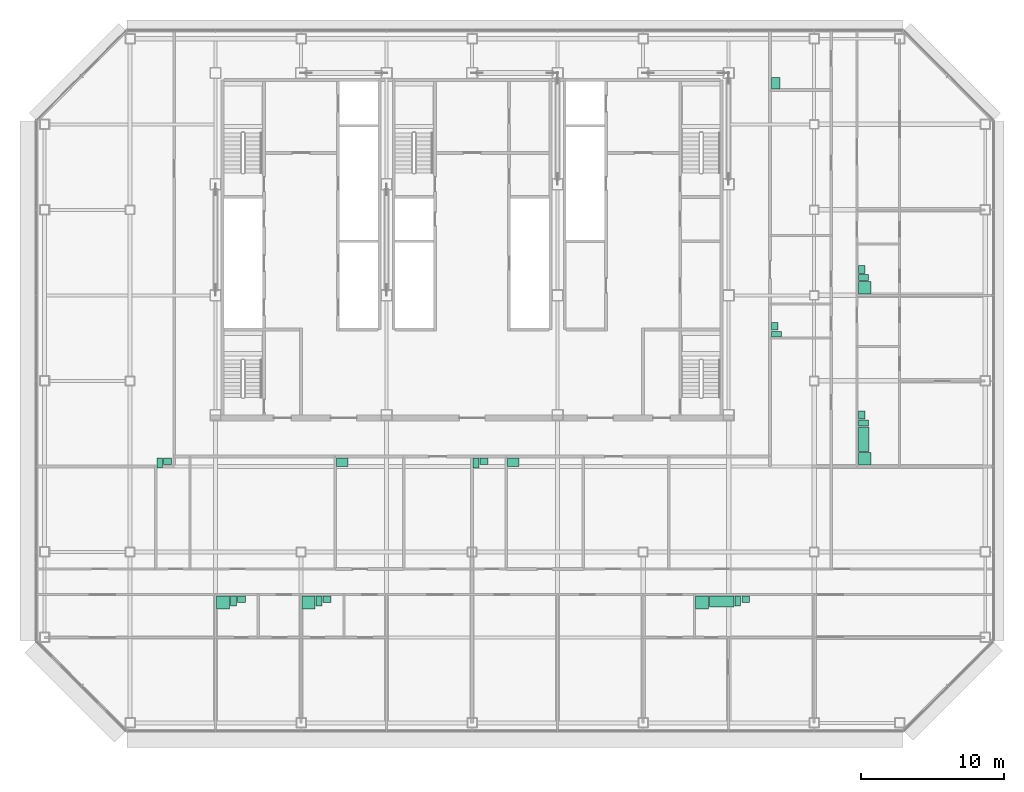
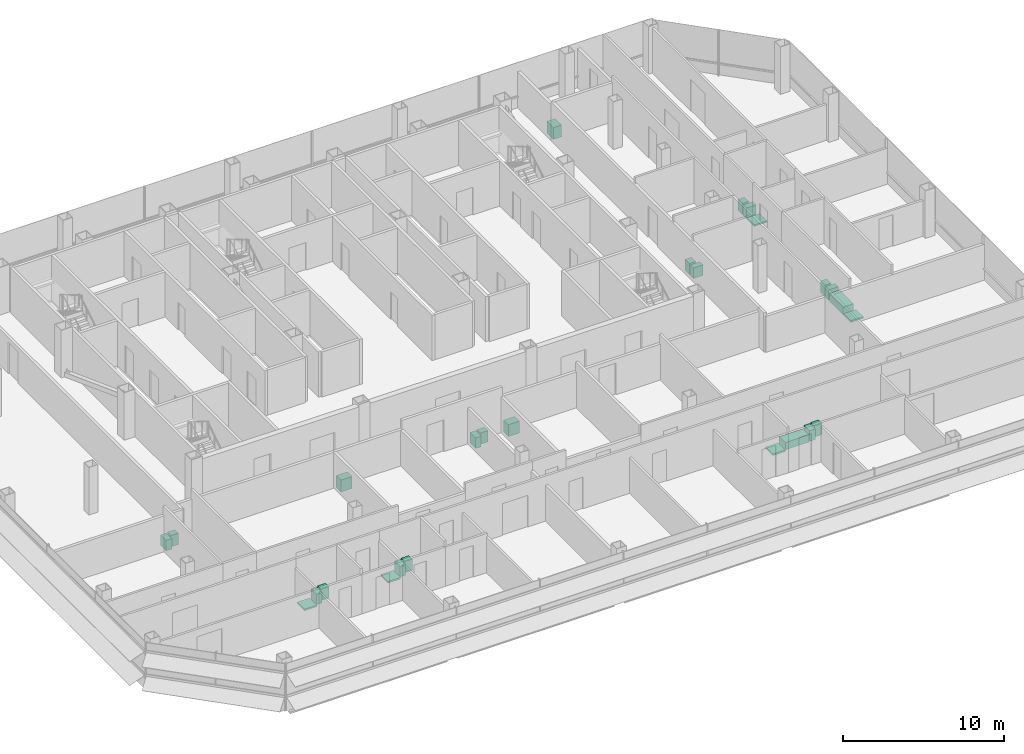
# One storey, part 26 of 26: 26 sanitary terminals.
"""IFC4 building model written with IfcOpenShell, lengths in metres."""

from ifc_helpers import new_model, si_unit, direction, frame, origin, origin_2d, place, context, subcontext, project, spatial, rectangle, extrude, element, save


model = new_model("IFC4")

# Units and contexts
model_context = context("Model", 3, precision=1e-05, world=origin(), true_north=direction((0.0, 1.0)))
body_context = subcontext(model_context, "Body", "Model", "MODEL_VIEW")
ifc_project = project(units=[si_unit("LENGTHUNIT", "METRE"), si_unit("AREAUNIT", "SQUARE_METRE"), si_unit("VOLUMEUNIT", "CUBIC_METRE"), si_unit("PLANEANGLEUNIT", "RADIAN"), si_unit("MASSUNIT", "GRAM", prefix="KILO")], contexts=[model_context])

# Site, building, storey
site_placement = place(None, origin())
site = spatial("IfcSite", under=ifc_project, at=site_placement, CompositionType="ELEMENT")
building_placement = place(site_placement, origin())
building = spatial("IfcBuilding", under=site, at=building_placement, Name="Sorahane Residences", CompositionType="ELEMENT")
storey_placement = place(building_placement, frame((0.0, 0.0, 154.60009765625)))
storey = spatial("IfcBuildingStorey", under=building, at=storey_placement, Name="L35", CompositionType="ELEMENT", Elevation=154.60009765625)

# Sanitary terminals
sanitary_terminal_1_placement = place(storey_placement, frame((6.530029296875, 8.449951171875, -0.000244140625), z_axis=(0.0, 0.0, 1.0), x_axis=(1.0, 0.0, 0.0)))
element("IfcSanitaryTerminal", 1, at=sanitary_terminal_1_placement, inside=storey, Name="Shower tray En-suite bathroom 35A", PredefinedType="SHOWER", context=body_context, shape_type="SweptSolid", body=[
    extrude(rectangle(XDim=0.89990234375, YDim=0.89990234375, at=origin_2d()), origin(), (0.0, 0.0, 1.0), 0.1201171875),
])
sanitary_terminal_2_placement = place(storey_placement, frame((7.260009765625, 8.550048828125, 0.0), z_axis=(0.0, 0.0, 1.0), x_axis=(1.0, 0.0, 0.0)))
element("IfcSanitaryTerminal", 2, at=sanitary_terminal_2_placement, inside=storey, Name="WC pan En-suite bathroom 35A", PredefinedType="TOILETPAN", context=body_context, shape_type="SweptSolid", body=[
    extrude(rectangle(XDim=0.39990234375, YDim=0.699951171875, at=origin_2d()), origin(), (0.0, 0.0, 1.0), 0.800048828125),
])
sanitary_terminal_3_placement = place(storey_placement, frame((7.81494140625, 8.675048828125, -0.000244140625), z_axis=(0.0, 0.0, 1.0), x_axis=(1.0, 0.0, 0.0)))
element("IfcSanitaryTerminal", 3, at=sanitary_terminal_3_placement, inside=storey, Name="Wash basin En-suite bathroom 35A", PredefinedType="WASHHANDBASIN", context=body_context, shape_type="SweptSolid", body=[
    extrude(rectangle(XDim=0.550048828125, YDim=0.449951171875, at=origin_2d()), origin(), (0.0, 0.0, 1.0), 0.85009765625),
])
sanitary_terminal_4_placement = place(storey_placement, frame((12.530029296875, 8.449951171875, -0.000244140625), z_axis=(0.0, 0.0, 1.0), x_axis=(1.0, 0.0, 0.0)))
element("IfcSanitaryTerminal", 4, at=sanitary_terminal_4_placement, inside=storey, Name="Shower tray En-suite bathroom 35A-2", PredefinedType="SHOWER", context=body_context, shape_type="SweptSolid", body=[
    extrude(rectangle(XDim=0.89990234375, YDim=0.89990234375, at=origin_2d()), origin(), (0.0, 0.0, 1.0), 0.1201171875),
])
sanitary_terminal_5_placement = place(storey_placement, frame((13.260009765625, 8.550048828125, 0.0), z_axis=(0.0, 0.0, 1.0), x_axis=(1.0, 0.0, 0.0)))
element("IfcSanitaryTerminal", 5, at=sanitary_terminal_5_placement, inside=storey, Name="WC pan En-suite bathroom 35A-2", PredefinedType="TOILETPAN", context=body_context, shape_type="SweptSolid", body=[
    extrude(rectangle(XDim=0.39990234375, YDim=0.699951171875, at=origin_2d()), origin(), (0.0, 0.0, 1.0), 0.800048828125),
])
sanitary_terminal_6_placement = place(storey_placement, frame((13.81494140625, 8.675048828125, -0.000244140625), z_axis=(0.0, 0.0, 1.0), x_axis=(1.0, 0.0, 0.0)))
element("IfcSanitaryTerminal", 6, at=sanitary_terminal_6_placement, inside=storey, Name="Wash basin En-suite bathroom 35A-2", PredefinedType="WASHHANDBASIN", context=body_context, shape_type="SweptSolid", body=[
    extrude(rectangle(XDim=0.550048828125, YDim=0.449951171875, at=origin_2d()), origin(), (0.0, 0.0, 1.0), 0.85009765625),
])
sanitary_terminal_7_placement = place(storey_placement, frame((2.080078125, 18.25, 0.0), z_axis=(0.0, 0.0, 1.0), x_axis=(1.0, 0.0, 0.0)))
element("IfcSanitaryTerminal", 7, at=sanitary_terminal_7_placement, inside=storey, Name="WC pan Powder room 35A", PredefinedType="TOILETPAN", context=body_context, shape_type="SweptSolid", body=[
    extrude(rectangle(XDim=0.39990234375, YDim=0.699951171875, at=origin_2d()), origin(), (0.0, 0.0, 1.0), 0.800048828125),
])
sanitary_terminal_8_placement = place(storey_placement, frame((2.635009765625, 18.375, -0.000244140625), z_axis=(0.0, 0.0, 1.0), x_axis=(1.0, 0.0, 0.0)))
element("IfcSanitaryTerminal", 8, at=sanitary_terminal_8_placement, inside=storey, Name="Wash basin Powder room 35A", PredefinedType="WASHHANDBASIN", context=body_context, shape_type="SweptSolid", body=[
    extrude(rectangle(XDim=0.550048828125, YDim=0.449951171875, at=origin_2d()), origin(), (0.0, 0.0, 1.0), 0.85009765625),
])
sanitary_terminal_9_placement = place(storey_placement, frame((14.8798828125, 18.300048828125, 0.0), z_axis=(0.0, 0.0, 1.0), x_axis=(1.0, 0.0, 0.0)))
element("IfcSanitaryTerminal", 9, at=sanitary_terminal_9_placement, inside=storey, Name="Kitchen sink Kitchen 35A", PredefinedType="SINK", context=body_context, shape_type="SweptSolid", body=[
    extrude(rectangle(XDim=0.800048828125, YDim=0.60009765625, at=origin_2d()), origin(), (0.0, 0.0, 1.0), 0.89990234375),
])
sanitary_terminal_10_placement = place(storey_placement, frame((40.1298828125, 8.449951171875, -0.000244140625), z_axis=(0.0, 0.0, 1.0), x_axis=(1.0, 0.0, 0.0)))
element("IfcSanitaryTerminal", 10, at=sanitary_terminal_10_placement, inside=storey, Name="Shower tray En-suite bathroom 35B", PredefinedType="SHOWER", context=body_context, shape_type="SweptSolid", body=[
    extrude(rectangle(XDim=0.89990234375, YDim=0.89990234375, at=origin_2d()), origin(), (0.0, 0.0, 1.0), 0.1201171875),
])
sanitary_terminal_11_placement = place(storey_placement, frame((41.510009765625, 8.52490234375, -0.000244140625), z_axis=(0.0, 0.0, 1.0), x_axis=(1.0, 0.0, 0.0)))
element("IfcSanitaryTerminal", 11, at=sanitary_terminal_11_placement, inside=storey, Name="Bath En-suite bathroom 35B", PredefinedType="BATH", context=body_context, shape_type="SweptSolid", body=[
    extrude(rectangle(XDim=1.699951171875, YDim=0.75, at=origin_2d()), origin(), (0.0, 0.0, 1.0), 0.56005859375),
])
sanitary_terminal_12_placement = place(storey_placement, frame((42.639892578125, 8.550048828125, 0.0), z_axis=(0.0, 0.0, 1.0), x_axis=(1.0, 0.0, 0.0)))
element("IfcSanitaryTerminal", 12, at=sanitary_terminal_12_placement, inside=storey, Name="WC pan En-suite bathroom 35B", PredefinedType="TOILETPAN", context=body_context, shape_type="SweptSolid", body=[
    extrude(rectangle(XDim=0.39990234375, YDim=0.699951171875, at=origin_2d()), origin(), (0.0, 0.0, 1.0), 0.800048828125),
])
sanitary_terminal_13_placement = place(storey_placement, frame((43.195068359375, 8.675048828125, -0.000244140625), z_axis=(0.0, 0.0, 1.0), x_axis=(1.0, 0.0, 0.0)))
element("IfcSanitaryTerminal", 13, at=sanitary_terminal_13_placement, inside=storey, Name="Wash basin En-suite bathroom 35B", PredefinedType="WASHHANDBASIN", context=body_context, shape_type="SweptSolid", body=[
    extrude(rectangle(XDim=0.550048828125, YDim=0.449951171875, at=origin_2d()), origin(), (0.0, 0.0, 1.0), 0.85009765625),
])
sanitary_terminal_14_placement = place(storey_placement, frame((24.280029296875, 18.25, 0.0), z_axis=(0.0, 0.0, 1.0), x_axis=(1.0, 0.0, 0.0)))
element("IfcSanitaryTerminal", 14, at=sanitary_terminal_14_placement, inside=storey, Name="WC pan Guest WC 35B", PredefinedType="TOILETPAN", context=body_context, shape_type="SweptSolid", body=[
    extrude(rectangle(XDim=0.39990234375, YDim=0.699951171875, at=origin_2d()), origin(), (0.0, 0.0, 1.0), 0.800048828125),
])
sanitary_terminal_15_placement = place(storey_placement, frame((24.8349609375, 18.375, -0.000244140625), z_axis=(0.0, 0.0, 1.0), x_axis=(1.0, 0.0, 0.0)))
element("IfcSanitaryTerminal", 15, at=sanitary_terminal_15_placement, inside=storey, Name="Wash basin Guest WC 35B", PredefinedType="WASHHANDBASIN", context=body_context, shape_type="SweptSolid", body=[
    extrude(rectangle(XDim=0.550048828125, YDim=0.449951171875, at=origin_2d()), origin(), (0.0, 0.0, 1.0), 0.85009765625),
])
sanitary_terminal_16_placement = place(storey_placement, frame((26.8798828125, 18.300048828125, 0.0), z_axis=(0.0, 0.0, 1.0), x_axis=(1.0, 0.0, 0.0)))
element("IfcSanitaryTerminal", 16, at=sanitary_terminal_16_placement, inside=storey, Name="Kitchen sink Kitchen 35B", PredefinedType="SINK", context=body_context, shape_type="SweptSolid", body=[
    extrude(rectangle(XDim=0.800048828125, YDim=0.60009765625, at=origin_2d()), origin(), (0.0, 0.0, 1.0), 0.89990234375),
])
sanitary_terminal_17_placement = place(storey_placement, frame((51.550048828125, 18.530029296875, -0.000244140625), z_axis=(0.0, 0.0, 1.0), x_axis=(0.0, 1.0, 0.0)))
element("IfcSanitaryTerminal", 17, at=sanitary_terminal_17_placement, inside=storey, Name="Shower tray En-suite bathroom 35C", PredefinedType="SHOWER", context=body_context, shape_type="SweptSolid", body=[
    extrude(rectangle(XDim=0.89990234375, YDim=0.89990234375, at=origin_2d()), origin(), (0.0, 0.0, 1.0), 0.1201171875),
])
sanitary_terminal_18_placement = place(storey_placement, frame((51.47509765625, 19.909912109375, -0.000244140625), z_axis=(0.0, 0.0, 1.0), x_axis=(0.0, 1.0, 0.0)))
element("IfcSanitaryTerminal", 18, at=sanitary_terminal_18_placement, inside=storey, Name="Bath En-suite bathroom 35C", PredefinedType="BATH", context=body_context, shape_type="SweptSolid", body=[
    extrude(rectangle(XDim=1.699951171875, YDim=0.75, at=origin_2d()), origin(), (0.0, 0.0, 1.0), 0.56005859375),
])
sanitary_terminal_19_placement = place(storey_placement, frame((51.449951171875, 21.0400390625, 0.0), z_axis=(0.0, 0.0, 1.0), x_axis=(0.0, 1.0, 0.0)))
element("IfcSanitaryTerminal", 19, at=sanitary_terminal_19_placement, inside=storey, Name="WC pan En-suite bathroom 35C", PredefinedType="TOILETPAN", context=body_context, shape_type="SweptSolid", body=[
    extrude(rectangle(XDim=0.39990234375, YDim=0.699951171875, at=origin_2d()), origin(), (0.0, 0.0, 1.0), 0.800048828125),
])
sanitary_terminal_20_placement = place(storey_placement, frame((51.324951171875, 21.594970703125, -0.000244140625), z_axis=(0.0, 0.0, 1.0), x_axis=(0.0, 1.0, 0.0)))
element("IfcSanitaryTerminal", 20, at=sanitary_terminal_20_placement, inside=storey, Name="Wash basin En-suite bathroom 35C", PredefinedType="WASHHANDBASIN", context=body_context, shape_type="SweptSolid", body=[
    extrude(rectangle(XDim=0.550048828125, YDim=0.449951171875, at=origin_2d()), origin(), (0.0, 0.0, 1.0), 0.85009765625),
])
sanitary_terminal_21_placement = place(storey_placement, frame((51.550048828125, 30.530029296875, -0.000244140625), z_axis=(0.0, 0.0, 1.0), x_axis=(0.0, 1.0, 0.0)))
element("IfcSanitaryTerminal", 21, at=sanitary_terminal_21_placement, inside=storey, Name="Shower tray En-suite bathroom 35C-2", PredefinedType="SHOWER", context=body_context, shape_type="SweptSolid", body=[
    extrude(rectangle(XDim=0.89990234375, YDim=0.89990234375, at=origin_2d()), origin(), (0.0, 0.0, 1.0), 0.1201171875),
])
sanitary_terminal_22_placement = place(storey_placement, frame((51.449951171875, 31.260009765625, 0.0), z_axis=(0.0, 0.0, 1.0), x_axis=(0.0, 1.0, 0.0)))
element("IfcSanitaryTerminal", 22, at=sanitary_terminal_22_placement, inside=storey, Name="WC pan En-suite bathroom 35C-2", PredefinedType="TOILETPAN", context=body_context, shape_type="SweptSolid", body=[
    extrude(rectangle(XDim=0.39990234375, YDim=0.699951171875, at=origin_2d()), origin(), (0.0, 0.0, 1.0), 0.800048828125),
])
sanitary_terminal_23_placement = place(storey_placement, frame((51.324951171875, 31.81494140625, -0.000244140625), z_axis=(0.0, 0.0, 1.0), x_axis=(0.0, 1.0, 0.0)))
element("IfcSanitaryTerminal", 23, at=sanitary_terminal_23_placement, inside=storey, Name="Wash basin En-suite bathroom 35C-2", PredefinedType="WASHHANDBASIN", context=body_context, shape_type="SweptSolid", body=[
    extrude(rectangle(XDim=0.550048828125, YDim=0.449951171875, at=origin_2d()), origin(), (0.0, 0.0, 1.0), 0.85009765625),
])
sanitary_terminal_24_placement = place(storey_placement, frame((45.35009765625, 27.280029296875, 0.0), z_axis=(0.0, 0.0, 1.0), x_axis=(0.0, 1.0, 0.0)))
element("IfcSanitaryTerminal", 24, at=sanitary_terminal_24_placement, inside=storey, Name="WC pan Guest WC 35C", PredefinedType="TOILETPAN", context=body_context, shape_type="SweptSolid", body=[
    extrude(rectangle(XDim=0.39990234375, YDim=0.699951171875, at=origin_2d()), origin(), (0.0, 0.0, 1.0), 0.800048828125),
])
sanitary_terminal_25_placement = place(storey_placement, frame((45.22509765625, 27.8349609375, -0.000244140625), z_axis=(0.0, 0.0, 1.0), x_axis=(0.0, 1.0, 0.0)))
element("IfcSanitaryTerminal", 25, at=sanitary_terminal_25_placement, inside=storey, Name="Wash basin Guest WC 35C", PredefinedType="WASHHANDBASIN", context=body_context, shape_type="SweptSolid", body=[
    extrude(rectangle(XDim=0.550048828125, YDim=0.449951171875, at=origin_2d()), origin(), (0.0, 0.0, 1.0), 0.85009765625),
])
sanitary_terminal_26_placement = place(storey_placement, frame((45.300048828125, 44.8798828125, 0.0), z_axis=(0.0, 0.0, 1.0), x_axis=(0.0, 1.0, 0.0)))
element("IfcSanitaryTerminal", 26, at=sanitary_terminal_26_placement, inside=storey, Name="Kitchen sink Kitchen 35C", PredefinedType="SINK", context=body_context, shape_type="SweptSolid", body=[
    extrude(rectangle(XDim=0.800048828125, YDim=0.60009765625, at=origin_2d()), origin(), (0.0, 0.0, 1.0), 0.89990234375),
])

save(model, "model.ifc")
